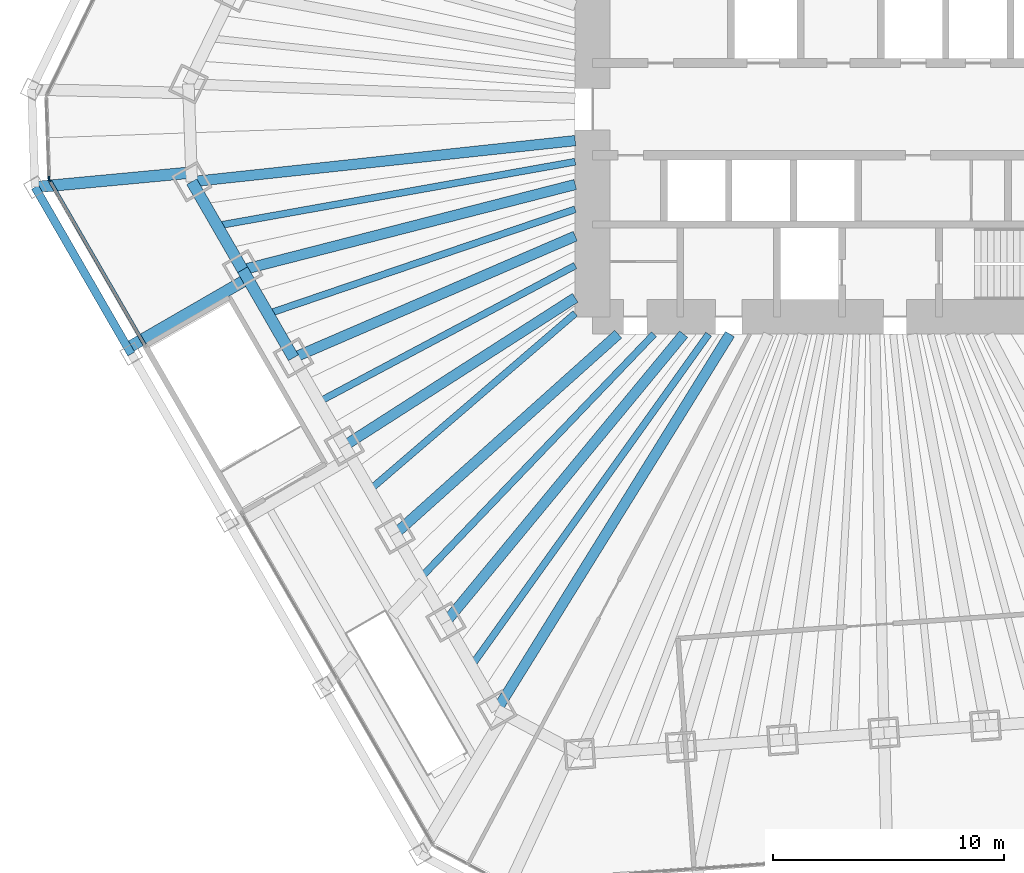
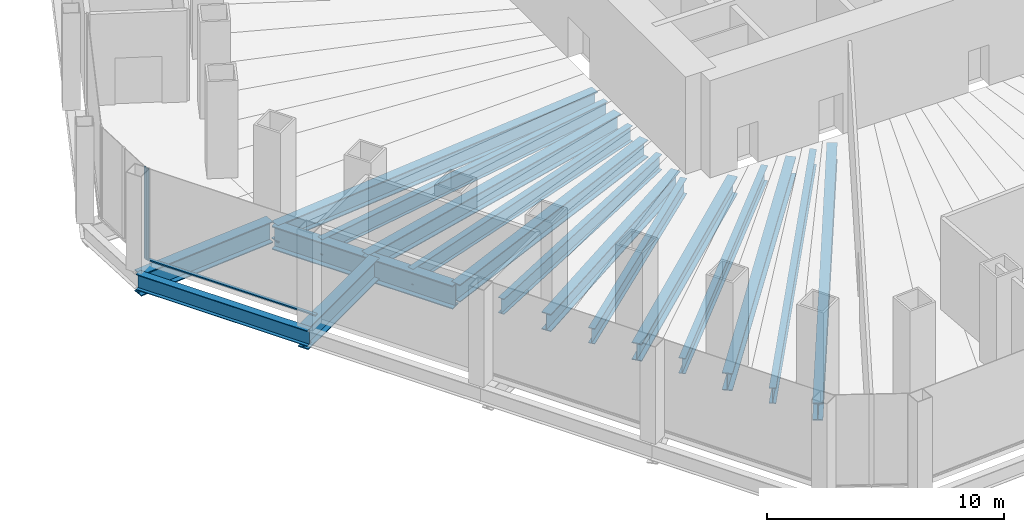
# One storey, part 3 of 18: 18 beams, 3 members, 2 elements without a shape of their own.
"""IFC4 building model written with IfcOpenShell, lengths in metres."""

from ifc_helpers import new_model, si_unit, direction, frame, origin, origin_2d, place, context, subcontext, project, spatial, rectangle, i_section, extrude, material, material_profile, profile_set, type_object, element, aggregate, save


model = new_model("IFC4")

# Units and contexts
model_context = context("Model", 3, precision=1e-05, world=origin(), true_north=direction((0.0, 1.0)))
body_context = subcontext(model_context, "Body", "Model", "MODEL_VIEW")
ifc_project = project(units=[si_unit("LENGTHUNIT", "METRE"), si_unit("AREAUNIT", "SQUARE_METRE"), si_unit("VOLUMEUNIT", "CUBIC_METRE"), si_unit("PLANEANGLEUNIT", "RADIAN"), si_unit("MASSUNIT", "GRAM", prefix="KILO")], contexts=[model_context])

# Site, building, storey
site_placement = place(None, origin())
site = spatial("IfcSite", under=ifc_project, at=site_placement, CompositionType="ELEMENT")
building_placement = place(site_placement, origin())
building = spatial("IfcBuilding", under=site, at=building_placement, Name="Qingtian Harvest Tower", CompositionType="ELEMENT")
storey_placement = place(building_placement, frame((0.0, 0.0, 12.0)))
storey = spatial("IfcBuildingStorey", under=building, at=storey_placement, Name="L02", CompositionType="ELEMENT", Elevation=12.0)

# Beams
ifc_material_1 = material(Name="Steel SM570MC", Category="steel")
ifc_material_profile_1 = material_profile(ifc_material_1, i_section(OverallWidth=0.449951171875, OverallDepth=0.89990234375, WebThickness=0.02197265625, FlangeThickness=0.044921875, at=origin_2d()), Name="H900x450x22x45")
ifc_profile_set_1 = profile_set([ifc_material_profile_1], Name="Steel SM570MC")
beam_type_1 = type_object("IfcBeamType", Name="Floor beam FB5 H900x450x22x45", PredefinedType="BEAM", material=ifc_profile_set_1)
beam_1_placement = place(storey_placement, frame((-16.14697265625, -26.03271484375, -0.699951171875), z_axis=(0.5270935495, 0.849807266429, 0.0), x_axis=(-0.849807266429, 0.5270935495, 0.0)))
element("IfcBeam", 1, at=beam_1_placement, inside=storey, type_object=beam_type_1, Name="Floor beam FB5 SW0", PredefinedType="BEAM", context=body_context, shape_type="SweptSolid", body=[
    extrude(i_section(OverallWidth=0.449951171875, OverallDepth=0.89990234375, WebThickness=0.02197265625, FlangeThickness=0.044921875, at=origin_2d()), origin(), (0.0, 0.0, 1.0), 19.160400390625),
])
beam_2_placement = place(storey_placement, frame((-18.349365234375, -22.21826171875, -0.699951171875), z_axis=(0.636780387972, 0.771045224026, 0.0), x_axis=(-0.771045224026, 0.636780387972, 0.0)))
element("IfcBeam", 2, at=beam_2_placement, inside=storey, type_object=beam_type_1, Name="Floor beam FB5 SW1", PredefinedType="BEAM", context=body_context, shape_type="SweptSolid", body=[
    extrude(i_section(OverallWidth=0.449951171875, OverallDepth=0.89990234375, WebThickness=0.02197265625, FlangeThickness=0.044921875, at=origin_2d()), origin(), (0.0, 0.0, 1.0), 16.170654296875),
])
beam_3_placement = place(storey_placement, frame((-20.551513671875, -18.403564453125, -0.699951171875), z_axis=(0.744965104975, 0.667103434536, 0.0), x_axis=(-0.667103434536, 0.744965104975, 0.0)))
element("IfcBeam", 3, at=beam_3_placement, inside=storey, type_object=beam_type_1, Name="Floor beam FB5 SW2", PredefinedType="BEAM", context=body_context, shape_type="SweptSolid", body=[
    extrude(i_section(OverallWidth=0.449951171875, OverallDepth=0.89990234375, WebThickness=0.02197265625, FlangeThickness=0.044921875, at=origin_2d()), origin(), (0.0, 0.0, 1.0), 12.971923828125),
])
beam_4_placement = place(storey_placement, frame((-22.75390625, -14.589111328125, -0.699951171875), z_axis=(0.841829353865, 0.539743771591, 0.0), x_axis=(-0.539743771591, 0.841829353865, 0.0)))
element("IfcBeam", 4, at=beam_4_placement, inside=storey, type_object=beam_type_1, Name="Floor beam FB5 SW3", PredefinedType="BEAM", context=body_context, shape_type="SweptSolid", body=[
    extrude(i_section(OverallWidth=0.449951171875, OverallDepth=0.89990234375, WebThickness=0.02197265625, FlangeThickness=0.044921875, at=origin_2d()), origin(), (0.0, 0.0, 1.0), 11.883544921875),
])
beam_5_placement = place(storey_placement, frame((-24.9560546875, -10.774658203125, -0.699951171875), z_axis=(0.918083617325, 0.396386770213, 0.0), x_axis=(-0.396386770213, 0.918083617325, 0.0)))
element("IfcBeam", 5, at=beam_5_placement, inside=storey, type_object=beam_type_1, Name="Floor beam FB5 SW4", PredefinedType="BEAM", context=body_context, shape_type="SweptSolid", body=[
    extrude(i_section(OverallWidth=0.449951171875, OverallDepth=0.89990234375, WebThickness=0.02197265625, FlangeThickness=0.044921875, at=origin_2d()), origin(), (0.0, 0.0, 1.0), 13.295166015625),
])
beam_6_placement = place(storey_placement, frame((-27.158447265625, -6.960205078125, -0.699951171875), z_axis=(0.968693729942, 0.248258851947, 0.0), x_axis=(-0.248258851947, 0.968693729942, 0.0)))
element("IfcBeam", 6, at=beam_6_placement, inside=storey, type_object=beam_type_1, Name="Floor beam FB5 SW5", PredefinedType="BEAM", context=body_context, shape_type="SweptSolid", body=[
    extrude(i_section(OverallWidth=0.449951171875, OverallDepth=0.89990234375, WebThickness=0.02197265625, FlangeThickness=0.044921875, at=origin_2d()), origin(), (0.0, 0.0, 1.0), 14.8740234375),
])
beam_7_placement = place(storey_placement, frame((-29.36083984375, -3.145751953125, -0.699951171875), z_axis=(0.994308822197, 0.106536219669, 0.0), x_axis=(-0.106536219669, 0.994308822197, 0.0)))
element("IfcBeam", 7, at=beam_7_placement, inside=storey, type_object=beam_type_1, Name="Floor beam FB5 SW6", PredefinedType="BEAM", context=body_context, shape_type="SweptSolid", body=[
    extrude(i_section(OverallWidth=0.449951171875, OverallDepth=0.89990234375, WebThickness=0.02197265625, FlangeThickness=0.044921875, at=origin_2d()), origin(), (0.0, 0.0, 1.0), 16.705810546875),
])
ifc_material_2 = material(Name="Steel SM570MC", Category="steel")
ifc_material_profile_2 = material_profile(ifc_material_2, i_section(OverallWidth=0.5, OverallDepth=1.10009765625, WebThickness=0.02490234375, FlangeThickness=0.050048828125, at=origin_2d()), Name="H1100x500x25x50")
ifc_profile_set_2 = profile_set([ifc_material_profile_2], Name="Steel SM570MC")
beam_type_2 = type_object("IfcBeamType", Name="Floor beam FB6 H1100x500x25x50", PredefinedType="BEAM", material=ifc_profile_set_2)
beam_8_placement = place(storey_placement, frame((-32.131103515625, -10.34716796875, -0.800048828125), z_axis=(0.866020924479, 0.500007758305, 0.0), x_axis=(-0.500007758305, 0.866020924479, 0.0)))
element("IfcBeam", 8, at=beam_8_placement, inside=storey, type_object=beam_type_2, Name="Podium floor beam FB6 SW3", PredefinedType="BEAM", context=body_context, shape_type="SweptSolid", body=[
    extrude(i_section(OverallWidth=0.5, OverallDepth=1.10009765625, WebThickness=0.02490234375, FlangeThickness=0.050048828125, at=origin_2d()), origin(), (0.0, 0.0, 1.0), 6.0),
])
beam_9_placement = place(storey_placement, frame((-36.152099609375, -3.3828125, -0.800048828125), z_axis=(0.995649523879, 0.093177387812, 0.0), x_axis=(-0.093177387812, 0.995649523879, 0.0)))
element("IfcBeam", 9, at=beam_9_placement, inside=storey, type_object=beam_type_2, Name="Podium floor beam FB6 SW4", PredefinedType="BEAM", context=body_context, shape_type="SweptSolid", body=[
    extrude(i_section(OverallWidth=0.5, OverallDepth=1.10009765625, WebThickness=0.02490234375, FlangeThickness=0.050048828125, at=origin_2d()), origin(), (0.0, 0.0, 1.0), 6.80712890625),
])
ifc_material_3 = material(Name="Steel SN490B", Category="steel")
ifc_material_profile_3 = material_profile(ifc_material_3, i_section(OverallWidth=0.300048828125, OverallDepth=0.800048828125, WebThickness=0.013916015625, FlangeThickness=0.02587890625, at=origin_2d()), Name="H800x300x14x26")
ifc_profile_set_3 = profile_set([ifc_material_profile_3], Name="Steel SN490B")
beam_type_3 = type_object("IfcBeamType", Name="Floor joist J1 H800x300x14x26", PredefinedType="JOIST", material=ifc_profile_set_3)
beam_10_placement = place(storey_placement, frame((-17.248046875, -24.12548828125, -0.64990234375), z_axis=(0.581580544546, 0.81348882611, 0.0), x_axis=(-0.81348882611, 0.581580544546, 0.0)))
element("IfcBeam", 10, at=beam_10_placement, inside=storey, type_object=beam_type_3, Name="Floor joist J1 SW0", PredefinedType="JOIST", context=body_context, shape_type="SweptSolid", body=[
    extrude(i_section(OverallWidth=0.300048828125, OverallDepth=0.800048828125, WebThickness=0.013916015625, FlangeThickness=0.02587890625, at=origin_2d()), origin(), (0.0, 0.0, 1.0), 17.67138671875),
])
beam_11_placement = place(storey_placement, frame((-19.450439453125, -20.31103515625, -0.64990234375), z_axis=(0.691639144398, 0.722243237377, 0.0), x_axis=(-0.722243237377, 0.691639144398, 0.0)))
element("IfcBeam", 11, at=beam_11_placement, inside=storey, type_object=beam_type_3, Name="Floor joist J1 SW1", PredefinedType="JOIST", context=body_context, shape_type="SweptSolid", body=[
    extrude(i_section(OverallWidth=0.300048828125, OverallDepth=0.800048828125, WebThickness=0.013916015625, FlangeThickness=0.02587890625, at=origin_2d()), origin(), (0.0, 0.0, 1.0), 14.62255859375),
])
beam_12_placement = place(storey_placement, frame((-21.652587890625, -16.496337890625, -0.64990234375), z_axis=(0.758605680154, 0.651550014994, 0.0), x_axis=(-0.651550014994, 0.758605680154, 0.0)))
element("IfcBeam", 12, at=beam_12_placement, inside=storey, type_object=beam_type_3, Name="Floor joist J1 SW2", PredefinedType="JOIST", context=body_context, shape_type="SweptSolid", body=[
    extrude(i_section(OverallWidth=0.300048828125, OverallDepth=0.800048828125, WebThickness=0.013916015625, FlangeThickness=0.02587890625, at=origin_2d()), origin(), (0.0, 0.0, 1.0), 11.7353515625),
])
beam_13_placement = place(storey_placement, frame((-23.85498046875, -12.681884765625, -0.64990234375), z_axis=(0.882982474604, 0.469405953885, 0.0), x_axis=(-0.469405953885, 0.882982474604, 0.0)))
element("IfcBeam", 13, at=beam_13_placement, inside=storey, type_object=beam_type_3, Name="Floor joist J1 SW3", PredefinedType="JOIST", context=body_context, shape_type="SweptSolid", body=[
    extrude(i_section(OverallWidth=0.300048828125, OverallDepth=0.800048828125, WebThickness=0.013916015625, FlangeThickness=0.02587890625, at=origin_2d()), origin(), (0.0, 0.0, 1.0), 12.57666015625),
])
beam_14_placement = place(storey_placement, frame((-26.057373046875, -8.867431640625, -0.64990234375), z_axis=(0.946684735425, 0.322161468387, 0.0), x_axis=(-0.322161468387, 0.946684735425, 0.0)))
element("IfcBeam", 14, at=beam_14_placement, inside=storey, type_object=beam_type_3, Name="Floor joist J1 SW4", PredefinedType="JOIST", context=body_context, shape_type="SweptSolid", body=[
    extrude(i_section(OverallWidth=0.300048828125, OverallDepth=0.800048828125, WebThickness=0.013916015625, FlangeThickness=0.02587890625, at=origin_2d()), origin(), (0.0, 0.0, 1.0), 14.056884765625),
])
beam_15_placement = place(storey_placement, frame((-28.259521484375, -5.052978515625, -0.64990234375), z_axis=(0.984387614034, 0.176014275943, 0.0), x_axis=(-0.176014275943, 0.984387614034, 0.0)))
element("IfcBeam", 15, at=beam_15_placement, inside=storey, type_object=beam_type_3, Name="Floor joist J1 SW5", PredefinedType="JOIST", context=body_context, shape_type="SweptSolid", body=[
    extrude(i_section(OverallWidth=0.300048828125, OverallDepth=0.800048828125, WebThickness=0.013916015625, FlangeThickness=0.02587890625, at=origin_2d()), origin(), (0.0, 0.0, 1.0), 15.755615234375),
])

# Curtain wall, member
ifc_material_4 = material(Name="Bronze-anodised aluminium curtain wall", Category="aluminium")
curtain_wall_type = type_object("IfcCurtainWallType", Name="Curtain wall CW1 podium shopfront", PredefinedType="USERDEFINED", material=ifc_material_4)
curtain_wall_1_placement = place(storey_placement, origin())
curtain_wall_1 = element("IfcCurtainWall", 16, at=curtain_wall_1_placement, inside=storey, type_object=curtain_wall_type, Name="Curtain wall CW1 L02 SW3", ObjectType="RECESSED CURTAIN WALL", PredefinedType="USERDEFINED")
ifc_material_5 = material(Name="Bronze-anodised aluminium mullion", Category="aluminium")
ifc_material_profile_4 = material_profile(ifc_material_5, rectangle(XDim=0.06494140625, YDim=0.199951171875, at=origin_2d()), Name="AL 65x200")
ifc_profile_set_4 = profile_set([ifc_material_profile_4], Name="Bronze-anodised aluminium mullion")
member_type_1 = type_object("IfcMemberType", Name="Mullion CWM 65x200", PredefinedType="MULLION", material=ifc_profile_set_4)
member_1_placement = place(storey_placement, frame((-35.529541015625, -3.06103515625, 0.0), z_axis=(0.0, 0.0, 1.0), x_axis=(-0.866025403784, -0.5, 0.0)))
member_1 = element("IfcMember", 17, at=member_1_placement, type_object=member_type_1, Name="CW1 mullion 2", PredefinedType="MULLION", context=body_context, shape_type="SweptSolid", body=[
    extrude(rectangle(XDim=0.06494140625, YDim=0.199951171875, at=origin_2d()), origin(), (0.0, 0.0, 1.0), 4.699951171875),
])

curtain_wall_2_placement = place(storey_placement, origin())
curtain_wall_2 = element("IfcCurtainWall", 18, at=curtain_wall_2_placement, inside=storey, type_object=curtain_wall_type, Name="Curtain wall CW1 L02 SWC", ObjectType="RECESSED CURTAIN WALL", PredefinedType="USERDEFINED")
member_2_placement = place(storey_placement, frame((-35.546875, -3.000244140625, 0.0), z_axis=(0.0, 0.0, 1.0), x_axis=(-0.999390827019, -0.034899496703, 0.0)))
member_2 = element("IfcMember", 19, at=member_2_placement, type_object=member_type_1, Name="CW1 mullion 1", PredefinedType="MULLION", context=body_context, shape_type="SweptSolid", body=[
    extrude(rectangle(XDim=0.06494140625, YDim=0.199951171875, at=origin_2d()), origin(), (0.0, 0.0, 1.0), 4.699951171875),
])
aggregate(curtain_wall_2, [member_2])

# Beams
ifc_material_6 = material(Name="Steel SN490B", Category="steel")
ifc_material_profile_5 = material_profile(ifc_material_6, i_section(OverallWidth=0.35009765625, OverallDepth=0.800048828125, WebThickness=0.01611328125, FlangeThickness=0.028076171875, at=origin_2d()), Name="H800x350x16x28")
ifc_profile_set_5 = profile_set([ifc_material_profile_5], Name="Steel SN490B")
beam_type_4 = type_object("IfcBeamType", Name="Podium beam PB1 H800x350x16x28", PredefinedType="BEAM", material=ifc_profile_set_5)
beam_16_placement = place(storey_placement, frame((-31.981201171875, -10.60693359375, -0.64990234375), z_axis=(-0.500004511595, 0.866022798998, 0.0), x_axis=(-0.866022798998, -0.500004511595, 0.0)))
element("IfcBeam", 20, at=beam_16_placement, inside=storey, type_object=beam_type_4, Name="Podium edge beam PB1 SW3", PredefinedType="BEAM", context=body_context, shape_type="SweptSolid", body=[
    extrude(i_section(OverallWidth=0.35009765625, OverallDepth=0.800048828125, WebThickness=0.01611328125, FlangeThickness=0.028076171875, at=origin_2d()), origin(), (0.0, 0.0, 1.0), 8.341796875),
])
ifc_material_7 = material(Name="Steel SM570MC", Category="steel")
ifc_material_profile_6 = material_profile(ifc_material_7, i_section(OverallWidth=0.5, OverallDepth=1.199951171875, WebThickness=0.02490234375, FlangeThickness=0.050048828125, at=origin_2d()), Name="H1200x500x25x50")
ifc_profile_set_6 = profile_set([ifc_material_profile_6], Name="Steel SM570MC")
beam_type_5 = type_object("IfcBeamType", Name="Spandrel beam SB1 H1200x500x25x50", PredefinedType="SPANDREL", material=ifc_profile_set_6)
for number, where, z_axis, x_axis, name in (
    (21, (-24.9560546875, -10.774658203125, -0.85009765625), (-0.50001992892, 0.866013897511, 0.0), (-0.866013897511, -0.50001992892, 0.0), "Spandrel SB1 SW4"),
    (22, (-27.158447265625, -6.960205078125, -0.85009765625), (-0.50001992892, 0.866013897511, 0.0), (-0.866013897511, -0.50001992892, 0.0), "Spandrel SB1 SW5"),
):
    element("IfcBeam", number, at=place(storey_placement, frame(where, z_axis=z_axis, x_axis=x_axis)), inside=storey, type_object=beam_type_5, Name=name, PredefinedType="SPANDREL", context=body_context, shape_type="SweptSolid", body=[
        extrude(i_section(OverallWidth=0.5, OverallDepth=1.199951171875, WebThickness=0.02490234375, FlangeThickness=0.050048828125, at=origin_2d()), origin(), (0.0, 0.0, 1.0), 4.404541015625),
    ])

# Member
ifc_material_8 = material(Name="Bronze-anodised aluminium transom", Category="aluminium")
ifc_material_profile_7 = material_profile(ifc_material_8, rectangle(XDim=0.14990234375, YDim=0.06494140625, at=origin_2d()), Name="AL 65x150")
ifc_profile_set_7 = profile_set([ifc_material_profile_7], Name="Bronze-anodised aluminium transom")
member_type_2 = type_object("IfcMemberType", Name="Transom CWT 65x150", PredefinedType="USERDEFINED", material=ifc_profile_set_7)
member_3_placement = place(storey_placement, frame((-31.407470703125, -10.20068359375, 0.032470703125), z_axis=(-0.500008116609, 0.866020717607, 0.0), x_axis=(-0.866020717607, -0.500008116609, 0.0)))
member_3 = element("IfcMember", 23, at=member_3_placement, type_object=member_type_2, Name="CW1 transom 1.1", ObjectType="TRANSOM", PredefinedType="USERDEFINED", context=body_context, shape_type="SweptSolid", body=[
    extrude(rectangle(XDim=0.14990234375, YDim=0.06494140625, at=origin_2d()), origin(), (0.0, 0.0, 1.0), 8.211669921875),
])

aggregate(curtain_wall_1, [member_1, member_3])

save(model, "model.ifc")
